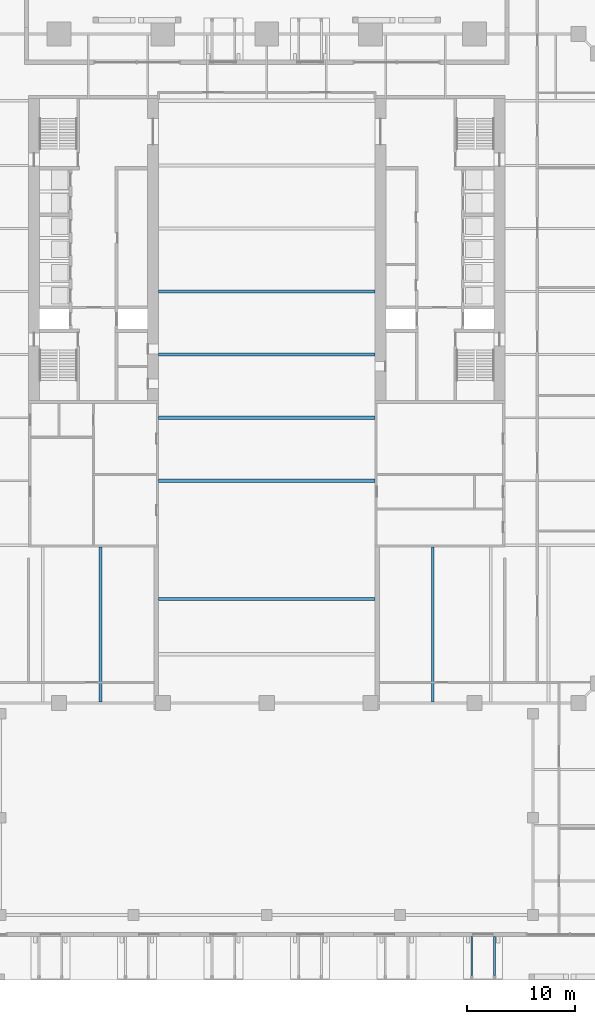
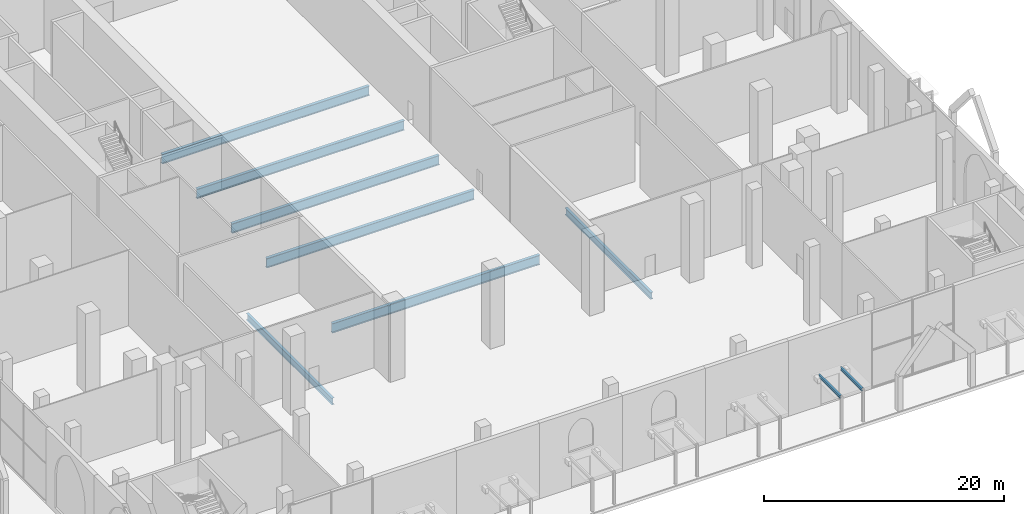
# One storey, part 19 of 38: 9 beams.
"""IFC4 building model written with IfcOpenShell, lengths in metres."""

from ifc_helpers import new_model, si_unit, direction, frame, origin, origin_2d, place, context, subcontext, project, spatial, i_section, extrude, material, material_profile, profile_set, type_object, element, save


model = new_model("IFC4")

# Units and contexts
model_context = context("Model", 3, precision=1e-05, world=origin(), true_north=direction((0.0, 1.0)))
body_context = subcontext(model_context, "Body", "Model", "MODEL_VIEW")
ifc_project = project(units=[si_unit("LENGTHUNIT", "METRE"), si_unit("AREAUNIT", "SQUARE_METRE"), si_unit("VOLUMEUNIT", "CUBIC_METRE"), si_unit("PLANEANGLEUNIT", "RADIAN"), si_unit("MASSUNIT", "GRAM", prefix="KILO")], contexts=[model_context])

# Site, building, storey
site_placement = place(None, origin())
site = spatial("IfcSite", under=ifc_project, at=site_placement, CompositionType="ELEMENT")
building_placement = place(site_placement, origin())
building = spatial("IfcBuilding", under=site, at=building_placement, Name="Ogive Exchange Tower", CompositionType="ELEMENT")
storey_placement = place(building_placement, origin())
storey = spatial("IfcBuildingStorey", under=building, at=storey_placement, Name="L00", CompositionType="ELEMENT", Elevation=0.0)

# Beams
ifc_material = material(Name="Steel ASTM A992 Gr50", Category="steel")
ifc_material_profile_1 = material_profile(ifc_material, i_section(OverallWidth=0.300048828125, OverallDepth=0.969970703125, WebThickness=0.01611328125, FlangeThickness=0.02099609375, at=origin_2d()), Name="W1000x222")
ifc_profile_set_1 = profile_set([ifc_material_profile_1], Name="Steel ASTM A992 Gr50")
beam_type_1 = type_object("IfcBeamType", Name="Floor beam W1000x222", PredefinedType="JOIST", material=ifc_profile_set_1)
for number, where, z_axis, x_axis, name in (
    (1, (-10.0, -9.8642578125, -0.784912109375), (1.0, 0.0, 0.0), (0.0, 1.0, 0.0), "Floor beam"),
    (2, (-10.0, -4.03857421875, -0.784912109375), (1.0, 0.0, 0.0), (0.0, 1.0, 0.0), "Floor beam"),
    (3, (-10.0, 1.787109375, -0.784912109375), (1.0, 0.0, 0.0), (0.0, 1.0, 0.0), "Floor beam"),
    (4, (-10.0, 7.61279296875, -0.784912109375), (1.0, 0.0, 0.0), (0.0, 1.0, 0.0), "Floor beam"),
    (5, (-10.0, -20.793212890625, -0.784912109375), (1.0, 0.0, 0.0), (0.0, 1.0, 0.0), "Floor beam"),
):
    element("IfcBeam", number, at=place(storey_placement, frame(where, z_axis=z_axis, x_axis=x_axis)), inside=storey, type_object=beam_type_1, Name=name, PredefinedType="JOIST", context=body_context, shape_type="SweptSolid", body=[
        extrude(i_section(OverallWidth=0.300048828125, OverallDepth=0.969970703125, WebThickness=0.01611328125, FlangeThickness=0.02099609375, at=origin_2d()), origin(), (0.0, 0.0, 1.0), 20.0),
    ])
ifc_material_profile_2 = material_profile(ifc_material, i_section(OverallWidth=0.25390625, OverallDepth=0.68310546875, WebThickness=0.012451171875, FlangeThickness=0.018798828125, at=origin_2d()), Name="W690x140")
ifc_profile_set_2 = profile_set([ifc_material_profile_2], Name="Steel ASTM A992 Gr50")
beam_type_2 = type_object("IfcBeamType", Name="Floor beam W690x140", PredefinedType="JOIST", material=ifc_profile_set_2)
for number, where, z_axis, x_axis, name in (
    (6, (15.35009765625, -30.304443359375, -0.6416015625), (0.0, 1.0, 0.0), (-1.0, 0.0, 0.0), "Floor beam"),
    (7, (-15.35009765625, -30.304443359375, -0.6416015625), (0.0, 1.0, 0.0), (-1.0, 0.0, 0.0), "Floor beam"),
):
    element("IfcBeam", number, at=place(storey_placement, frame(where, z_axis=z_axis, x_axis=x_axis)), inside=storey, type_object=beam_type_2, Name=name, PredefinedType="JOIST", context=body_context, shape_type="SweptSolid", body=[
        extrude(i_section(OverallWidth=0.25390625, OverallDepth=0.68310546875, WebThickness=0.012451171875, FlangeThickness=0.018798828125, at=origin_2d()), origin(), (0.0, 0.0, 1.0), 14.304443359375),
    ])
ifc_material_profile_3 = material_profile(ifc_material, i_section(OverallWidth=0.1650390625, OverallDepth=0.31005859375, WebThickness=0.005859375, FlangeThickness=0.009765625, at=origin_2d()), Name="W310x38.7")
ifc_profile_set_3 = profile_set([ifc_material_profile_3], Name="Steel ASTM A992 Gr50")
beam_type_3 = type_object("IfcBeamType", Name="Girder W310x38.7", PredefinedType="BEAM", material=ifc_profile_set_3)
for number, where, z_axis, x_axis, name in (
    (8, (18.949951171875, -52.0, 3.14501953125), (0.0, -1.0, 0.0), (1.0, 0.0, 0.0), "Canopy beam"),
    (9, (21.050048828125, -52.0, 3.14501953125), (0.0, -1.0, 0.0), (1.0, 0.0, 0.0), "Canopy beam"),
):
    element("IfcBeam", number, at=place(storey_placement, frame(where, z_axis=z_axis, x_axis=x_axis)), inside=storey, type_object=beam_type_3, Name=name, PredefinedType="BEAM", context=body_context, shape_type="SweptSolid", body=[
        extrude(i_section(OverallWidth=0.1650390625, OverallDepth=0.31005859375, WebThickness=0.005859375, FlangeThickness=0.009765625, at=origin_2d()), origin(), (0.0, 0.0, 1.0), 3.598388671875),
    ])

save(model, "model.ifc")
